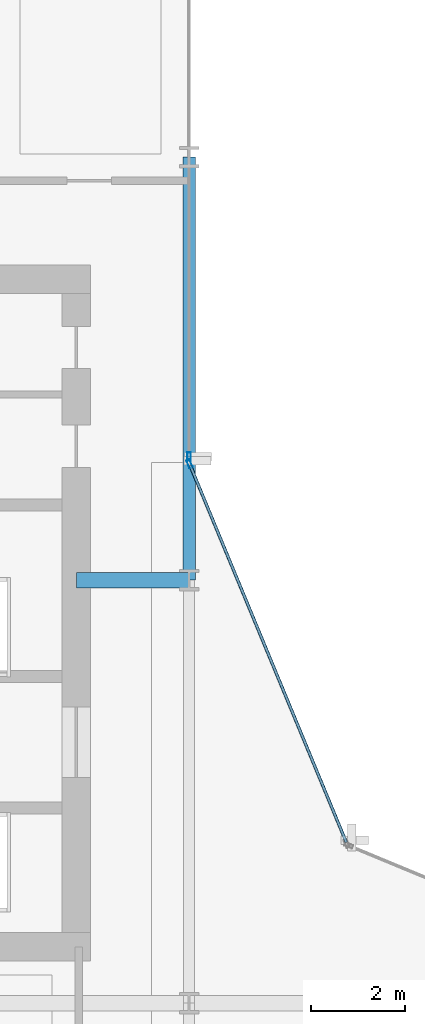
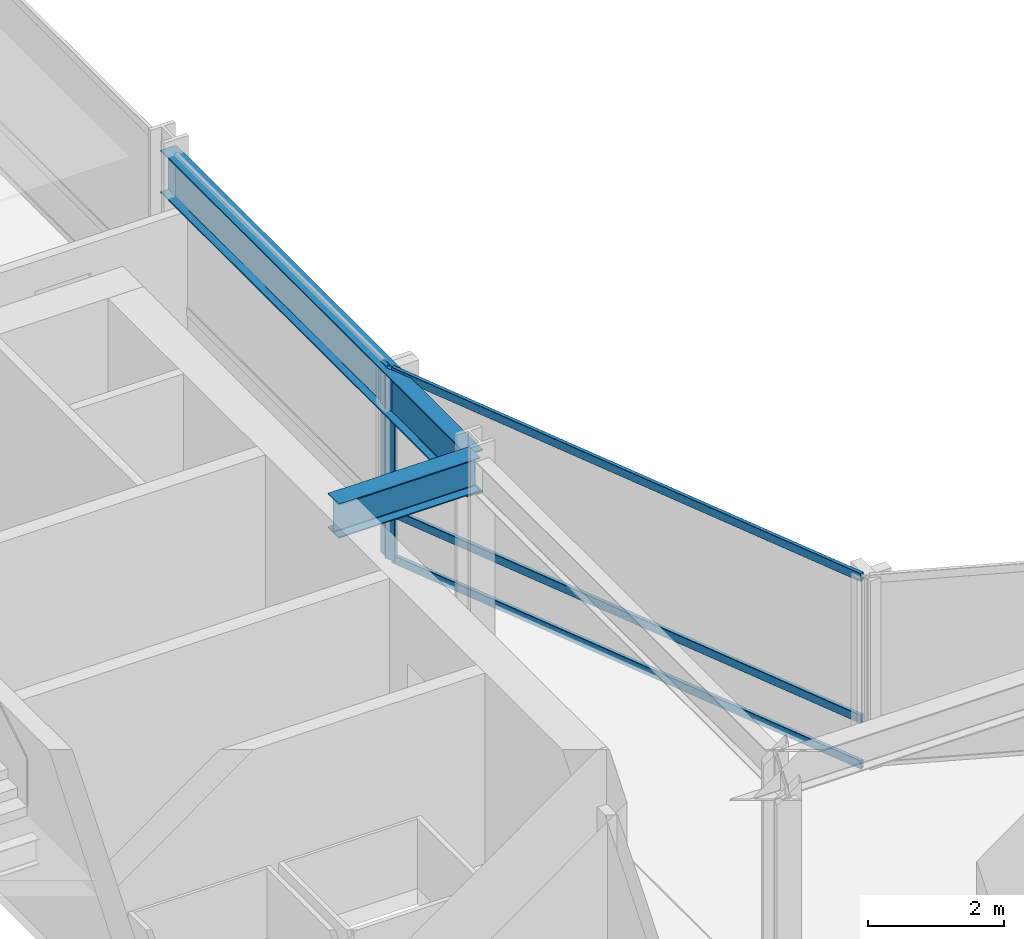
# One storey, part 17 of 29: 5 members, 2 beams, 2 elements without a shape of their own.
"""IFC4 building model written with IfcOpenShell, lengths in metres."""

import ifcopenshell
import ifcopenshell.guid

model = None  # the IFC model being written
_history = None  # IfcOwnerHistory: only IFC2X3 demands one
_inside = {}  # id of a spatial element -> (the spatial element, [elements in it])
_under = {}  # id of a project, library or spatial element -> (it, [spatial elements below it])
_declared = {}  # id of a project -> (the project, [libraries it declares])
_typed = {}  # id of a type object -> (the type object, [elements of that type])
_made_of = {}  # id of a material, layer set ... -> (it, [elements and type objects made of it])


def new_model(schema):
    """Start an empty IFC model of exactly this schema.

    Asked for "IFC4X3", IfcOpenShell would pick the latest addendum, in which some entities
    have other attributes; the version numbers below select the first issue.
    IFC2X3 requires an IfcOwnerHistory on every rooted entity: one is made here for all.
    """
    global model, _history
    if schema == "IFC4X3":
        model = ifcopenshell.file(schema_version=(4, 3, 0, 0))
    else:
        model = ifcopenshell.file(schema=schema)
    _inside.clear()
    _under.clear()
    _declared.clear()
    _typed.clear()
    _made_of.clear()
    _history = None
    if model.schema == "IFC2X3":
        org = make("IfcOrganization", Name="unknown")
        user = make(
            "IfcPersonAndOrganization",
            ThePerson=make("IfcPerson", FamilyName="unknown"),
            TheOrganization=org,
        )
        app = make(
            "IfcApplication",
            ApplicationDeveloper=org,
            Version="unknown",
            ApplicationFullName="unknown",
            ApplicationIdentifier="unknown",
        )
        _history = make(
            "IfcOwnerHistory",
            OwningUser=user,
            OwningApplication=app,
            ChangeAction="ADDED",
            CreationDate=0,
        )
    return model


def make(cls, **values):
    """One entity of the class cls with the attributes given. An attribute that is None is left unset."""
    return model.create_entity(
        cls, **{name: value for name, value in values.items() if value is not None}
    )


def rooted(cls, **values):
    """An entity with a GlobalId (a new one), such as an element, a storey or a relation."""
    return make(cls, GlobalId=ifcopenshell.guid.new(), OwnerHistory=_history, **values)


def si_unit(unit_type, name, prefix=None):
    """IfcSIUnit, for example si_unit("LENGTHUNIT", "METRE", prefix="MILLI")."""
    return make("IfcSIUnit", UnitType=unit_type, Prefix=prefix, Name=name)


def assignment(units):
    """IfcUnitAssignment: the units of a project."""
    return None if units is None else make("IfcUnitAssignment", Units=units)


def point(xyz):
    """IfcCartesianPoint."""
    return None if xyz is None else make("IfcCartesianPoint", Coordinates=xyz)


def direction(xyz):
    """IfcDirection."""
    return None if xyz is None else make("IfcDirection", DirectionRatios=xyz)


def frame(location, z_axis=None, x_axis=None):
    """IfcAxis2Placement3D, a coordinate frame: its origin and axes. An axis left out is left unset."""
    return make(
        "IfcAxis2Placement3D",
        Location=point(location),
        Axis=direction(z_axis),
        RefDirection=direction(x_axis),
    )


def frame_2d(location, x_axis=None):
    """IfcAxis2Placement2D, a coordinate frame in the plane: its origin and x axis."""
    return make(
        "IfcAxis2Placement2D", Location=point(location), RefDirection=direction(x_axis)
    )


def origin():
    """The frame at (0, 0, 0) with its axes left unset."""
    return frame((0.0, 0.0, 0.0))


def origin_2d():
    """The frame at (0, 0) in the plane with its x axis left unset."""
    return frame_2d((0.0, 0.0))


def place(relative_to, where):
    """IfcLocalPlacement: puts the frame where relative to a parent placement (None: the world)."""
    return make(
        "IfcLocalPlacement", PlacementRelTo=relative_to, RelativePlacement=where
    )


def context(
    kind, dimensions, precision=None, world=None, true_north=None, identifier=None
):
    """IfcGeometricRepresentationContext, for example the 3D "Model" context."""
    return make(
        "IfcGeometricRepresentationContext",
        ContextIdentifier=identifier,
        ContextType=kind,
        CoordinateSpaceDimension=dimensions,
        Precision=precision,
        WorldCoordinateSystem=world,
        TrueNorth=true_north,
    )


def subcontext(parent, identifier, kind, view, scale=None):
    """IfcGeometricRepresentationSubContext, for example "Body" below "Model"."""
    return make(
        "IfcGeometricRepresentationSubContext",
        ContextIdentifier=identifier,
        ContextType=kind,
        ParentContext=parent,
        TargetScale=scale,
        TargetView=view,
    )


def project(units=None, contexts=None):
    """IfcProject with its units and contexts."""
    return rooted(
        "IfcProject",
        Name="project",
        RepresentationContexts=contexts,
        UnitsInContext=assignment(units),
    )


def spatial(cls, under=None, at=None, **own):
    """A site, building, storey or space (cls), placed at a placement, below another one or the project."""
    s = rooted(cls, ObjectPlacement=at, **own)
    if under is not None:
        _under.setdefault(under.id(), (under, []))[1].append(s)
    return s


def profile(cls, at=None, kind="AREA", **sizes):
    """A parametric profile (cls). Its sizes go by their IFC names, for example OverallWidth=200.0."""
    return make(cls, ProfileType=kind, Position=at, **sizes)


def hollow_rectangle(**sizes):
    """IfcRectangleHollowProfileDef."""
    return profile("IfcRectangleHollowProfileDef", **sizes)


def i_section(**sizes):
    """IfcIShapeProfileDef."""
    return profile("IfcIShapeProfileDef", **sizes)


def extrude(swept, where, along, depth):
    """IfcExtrudedAreaSolid: the profile swept, set in the frame where, extruded along a direction by depth."""
    return make(
        "IfcExtrudedAreaSolid",
        SweptArea=swept,
        Position=where,
        ExtrudedDirection=direction(along),
        Depth=depth,
    )


def shape(context_of_items, identifier, shape_type, items):
    """IfcShapeRepresentation: the items that make up one representation, for example the "Body"."""
    return make(
        "IfcShapeRepresentation",
        ContextOfItems=context_of_items,
        RepresentationIdentifier=identifier,
        RepresentationType=shape_type,
        Items=items,
    )


def material(Name=None, Category=None):
    """IfcMaterial."""
    return make("IfcMaterial", Name=Name, Category=Category)


def layer(
    of_material, thickness, ventilated=None, Name=None, Category=None, Priority=None
):
    """IfcMaterialLayer: one layer of a wall or slab, of a material (None: an air gap)."""
    return make(
        "IfcMaterialLayer",
        Material=of_material,
        LayerThickness=thickness,
        IsVentilated=ventilated,
        Name=Name,
        Category=Category,
        Priority=Priority,
    )


def layer_set(layers, Name=None):
    """IfcMaterialLayerSet."""
    return make("IfcMaterialLayerSet", MaterialLayers=layers, LayerSetName=Name)


def material_profile(
    of_material, cross_section, Name=None, Category=None, Priority=None
):
    """IfcMaterialProfile: a cross section and its material."""
    return make(
        "IfcMaterialProfile",
        Name=Name,
        Material=of_material,
        Profile=cross_section,
        Priority=Priority,
        Category=Category,
    )


def profile_set(profiles, Name=None, composite=None):
    """IfcMaterialProfileSet."""
    return make(
        "IfcMaterialProfileSet",
        Name=Name,
        MaterialProfiles=profiles,
        CompositeProfile=composite,
    )


def made_of(thing, what):
    """Note that an element or type object is made of a material, layer set ...; save() writes the relation."""
    if what is not None:
        _made_of.setdefault(what.id(), (what, []))[1].append(thing)
    return thing


def type_object(cls, material=None, **own):
    """A type object (cls), such as IfcWallType, which elements share."""
    return made_of(rooted(cls, **own), material)


def element(
    cls,
    number,
    at=None,
    inside=None,
    cuts=None,
    type_object=None,
    material=None,
    context=None,
    identifier="Body",
    shape_type=None,
    held_by="IfcProductDefinitionShape",
    body=None,
    shapes=None,
    **own,
):
    """One element of the class cls, such as IfcWall. Its Tag is "e" and its number.

    at: its placement. inside: the storey or other place that contains it. cuts: it is an
    opening in that element (IfcRelVoidsElement). A single representation is given by context,
    identifier, shape_type and body (its items); several are given by shapes. held_by: the class
    of the entity that holds the representations. save() writes the other relations.
    """
    e = rooted(cls, Tag="e%d" % number, ObjectPlacement=at, **own)
    if body is not None:
        shapes = [shape(context, identifier, shape_type, body)]
    if shapes is not None:
        e.Representation = make(held_by, Representations=shapes)
    if inside is not None:
        _inside.setdefault(inside.id(), (inside, []))[1].append(e)
    if cuts is not None:
        rooted(
            "IfcRelVoidsElement", RelatingBuildingElement=cuts, RelatedOpeningElement=e
        )
    if type_object is not None:
        _typed.setdefault(type_object.id(), (type_object, []))[1].append(e)
    return made_of(e, material)


def aggregate(whole, parts):
    """IfcRelAggregates: a whole, such as a stair, and the parts it consists of."""
    return rooted("IfcRelAggregates", RelatingObject=whole, RelatedObjects=parts)


def save(model, path):
    """Write the relations noted so far, then the file.

    IfcRelAggregates (storeys below a building ...), IfcRelContainedInSpatialStructure (elements
    in a storey), IfcRelDefinesByType, IfcRelAssociatesMaterial and IfcRelDeclares: one each for
    every whole, place, type object, material and project.
    """
    for whole, parts in _under.values():
        aggregate(whole, parts)
    for where, things in _inside.values():
        rooted(
            "IfcRelContainedInSpatialStructure",
            RelatedElements=things,
            RelatingStructure=where,
        )
    for kind, things in _typed.values():
        rooted("IfcRelDefinesByType", RelatedObjects=things, RelatingType=kind)
    for what, things in _made_of.values():
        rooted("IfcRelAssociatesMaterial", RelatedObjects=things, RelatingMaterial=what)
    for by, libraries in _declared.values():
        rooted("IfcRelDeclares", RelatingContext=by, RelatedDefinitions=libraries)
    model.write(path)


model = new_model("IFC4")

# Units and contexts
model_context = context("Model", 3, precision=1e-05, world=origin(), true_north=direction((0.0, 1.0)))
body_context = subcontext(model_context, "Body", "Model", "MODEL_VIEW")
ifc_project = project(units=[si_unit("LENGTHUNIT", "METRE"), si_unit("AREAUNIT", "SQUARE_METRE"), si_unit("VOLUMEUNIT", "CUBIC_METRE"), si_unit("PLANEANGLEUNIT", "RADIAN"), si_unit("MASSUNIT", "GRAM", prefix="KILO")], contexts=[model_context])

# Site, building, storey
site_placement = place(None, origin())
site = spatial("IfcSite", under=ifc_project, at=site_placement, CompositionType="ELEMENT")
building_placement = place(site_placement, origin())
building = spatial("IfcBuilding", under=site, at=building_placement, Name="Solvaryn Broadcast Tower", CompositionType="ELEMENT")
storey_placement = place(building_placement, frame((0.0, 0.0, 124.800048828125)))
storey = spatial("IfcBuildingStorey", under=building, at=storey_placement, Name="L30", CompositionType="ELEMENT", Elevation=124.800048828125)

# Beams
ifc_material_1 = material(Name="Steel ASTM A992 Grade 50", Category="steel")
ifc_material_profile_1 = material_profile(ifc_material_1, i_section(OverallWidth=0.323974609375, OverallDepth=0.611083984375, WebThickness=0.0126953125, FlangeThickness=0.01904296875, FilletRadius=0.014892578125, at=origin_2d()))
ifc_profile_set_1 = profile_set([ifc_material_profile_1], Name="Steel ASTM A992 Grade 50")
beam_type_1 = type_object("IfcBeamType", Name="BM-B1-W24X104", PredefinedType="BEAM", material=ifc_profile_set_1)
beam_1_placement = place(storey_placement, frame((24.60009765625, 36.0, 3.114501953125), z_axis=(1.0, 0.0, 0.0), x_axis=(0.0, 1.0, 0.0)))
element("IfcBeam", 1, at=beam_1_placement, inside=storey, type_object=beam_type_1, Name="L30 Core Tie Beam CTW2", PredefinedType="BEAM", context=body_context, shape_type="SweptSolid", body=[
    extrude(i_section(OverallWidth=0.323974609375, OverallDepth=0.611083984375, WebThickness=0.0126953125, FlangeThickness=0.01904296875, FilletRadius=0.014892578125, at=origin_2d()), origin(), (0.0, 0.0, 1.0), 2.39990234375),
])
ifc_material_2 = material(Name="Steel ASTM A992 Grade 50", Category="steel")
ifc_material_profile_2 = material_profile(ifc_material_2, i_section(OverallWidth=0.26708984375, OverallDepth=0.76611328125, WebThickness=0.014892578125, FlangeThickness=0.023681640625, FilletRadius=0.01806640625, at=origin_2d()))
ifc_profile_set_2 = profile_set([ifc_material_profile_2], Name="Steel ASTM A992 Grade 50")
beam_type_2 = type_object("IfcBeamType", Name="BM-SP2-W30X124", PredefinedType="USERDEFINED", material=ifc_profile_set_2)
beam_2_placement = place(storey_placement, frame((27.0, 36.0, 3.036865234375), z_axis=(0.0, 1.0, 0.0), x_axis=(-1.0, 0.0, 0.0)))
element("IfcBeam", 2, at=beam_2_placement, inside=storey, type_object=beam_type_2, Name="L30 Spandrel Beam Y (36-45 @ X=27)", ObjectType="SPANDREL", PredefinedType="USERDEFINED", context=body_context, shape_type="SweptSolid", body=[
    extrude(i_section(OverallWidth=0.26708984375, OverallDepth=0.76611328125, WebThickness=0.014892578125, FlangeThickness=0.023681640625, FilletRadius=0.01806640625, at=origin_2d()), origin(), (0.0, 0.0, 1.0), 9.0),
])

# Curtain wall, member
ifc_material_3 = material(Name="Aluminium and Terracotta Unitised Curtain Wall", Category="masonry")
ifc_layer = layer(ifc_material_3, 0.199951171875)
ifc_layer_set = layer_set([ifc_layer], Name="CW-SYS2-LOWMID")
curtain_wall_type = type_object("IfcCurtainWallType", Name="CW-SYS2-LOWMID", PredefinedType="NOTDEFINED", material=ifc_layer_set)
curtain_wall_1_placement = place(storey_placement, origin())
curtain_wall_1 = element("IfcCurtainWall", 3, at=curtain_wall_1_placement, inside=storey, type_object=curtain_wall_type, Name="L30 Curtain Wall IV", PredefinedType="NOTDEFINED")
ifc_material_4 = material(Name="Anodised Aluminium 6063-T6", Category="aluminium")
ifc_material_profile_3 = material_profile(ifc_material_4, hollow_rectangle(XDim=0.074951171875, YDim=0.179931640625, WallThickness=0.00390625, InnerFilletRadius=0.00390625, OuterFilletRadius=0.008056640625, at=origin_2d()))
ifc_profile_set_3 = profile_set([ifc_material_profile_3], Name="Anodised Aluminium 6063-T6")
member_type_1 = type_object("IfcMemberType", Name="CW-MUL-180", PredefinedType="MULLION", material=ifc_profile_set_3)
member_1_placement = place(storey_placement, frame((27.0, 38.6298828125, 0.0), z_axis=(0.0, 0.0, 1.0), x_axis=(1.0, 0.0, 0.0)))
member_1 = element("IfcMember", 4, at=member_1_placement, type_object=member_type_1, Name="CWS2 mullion 2", PredefinedType="MULLION", context=body_context, shape_type="SweptSolid", body=[
    extrude(hollow_rectangle(XDim=0.074951171875, YDim=0.179931640625, WallThickness=0.00390625, InnerFilletRadius=0.00390625, OuterFilletRadius=0.008056640625, at=origin_2d()), origin(), (0.0, 0.0, 1.0), 3.419921875),
])
aggregate(curtain_wall_1, [member_1])

# Curtain wall, members
curtain_wall_2_placement = place(storey_placement, origin())
curtain_wall_2 = element("IfcCurtainWall", 5, at=curtain_wall_2_placement, inside=storey, type_object=curtain_wall_type, Name="L30 Curtain Wall CN2", PredefinedType="NOTDEFINED")
member_2_placement = place(storey_placement, frame((27.011474609375, 38.47216796875, 0.0), z_axis=(0.0, 0.0, 1.0), x_axis=(-0.923894983957, -0.382646127145, 0.0)))
member_2 = element("IfcMember", 6, at=member_2_placement, type_object=member_type_1, Name="CWS2 mullion 2", PredefinedType="MULLION", context=body_context, shape_type="SweptSolid", body=[
    extrude(hollow_rectangle(XDim=0.074951171875, YDim=0.179931640625, WallThickness=0.00390625, InnerFilletRadius=0.00390625, OuterFilletRadius=0.008056640625, at=origin_2d()), origin(), (0.0, 0.0, 1.0), 3.419921875),
])
ifc_material_5 = material(Name="Anodised Aluminium 6063-T6", Category="aluminium")
ifc_material_profile_4 = material_profile(ifc_material_5, hollow_rectangle(XDim=0.06494140625, YDim=0.14990234375, WallThickness=0.00390625, InnerFilletRadius=0.00390625, OuterFilletRadius=0.008056640625, at=origin_2d()))
ifc_profile_set_4 = profile_set([ifc_material_profile_4], Name="Anodised Aluminium 6063-T6")
member_type_2 = type_object("IfcMemberType", Name="CW-TRN-150", PredefinedType="USERDEFINED", material=ifc_profile_set_4)
member_3_placement = place(storey_placement, frame((30.344970703125, 30.42333984375, 0.030029296875), z_axis=(-0.382635748975, 0.923899282177, 0.0), x_axis=(-0.923899282177, -0.382635748975, 0.0)))
member_3 = element("IfcMember", 7, at=member_3_placement, type_object=member_type_2, Name="CWS2 transom 1.1", ObjectType="TRANSOM", PredefinedType="USERDEFINED", context=body_context, shape_type="SweptSolid", body=[
    extrude(hollow_rectangle(XDim=0.06494140625, YDim=0.14990234375, WallThickness=0.00390625, InnerFilletRadius=0.00390625, OuterFilletRadius=0.008056640625, at=origin_2d()), origin(), (0.0, 0.0, 1.0), 8.681884765625),
])
member_4_placement = place(storey_placement, frame((30.344970703125, 30.42333984375, 0.849853515625), z_axis=(-0.382635748975, 0.923899282177, 0.0), x_axis=(-0.923899282177, -0.382635748975, 0.0)))
member_4 = element("IfcMember", 8, at=member_4_placement, type_object=member_type_2, Name="CWS2 transom 1.2", ObjectType="TRANSOM", PredefinedType="USERDEFINED", context=body_context, shape_type="SweptSolid", body=[
    extrude(hollow_rectangle(XDim=0.06494140625, YDim=0.14990234375, WallThickness=0.00390625, InnerFilletRadius=0.00390625, OuterFilletRadius=0.008056640625, at=origin_2d()), origin(), (0.0, 0.0, 1.0), 8.681884765625),
])
member_5_placement = place(storey_placement, frame((30.344970703125, 30.42333984375, 3.389892578125), z_axis=(-0.382635748975, 0.923899282177, 0.0), x_axis=(-0.923899282177, -0.382635748975, 0.0)))
member_5 = element("IfcMember", 9, at=member_5_placement, type_object=member_type_2, Name="CWS2 transom 1.3", ObjectType="TRANSOM", PredefinedType="USERDEFINED", context=body_context, shape_type="SweptSolid", body=[
    extrude(hollow_rectangle(XDim=0.06494140625, YDim=0.14990234375, WallThickness=0.00390625, InnerFilletRadius=0.00390625, OuterFilletRadius=0.008056640625, at=origin_2d()), origin(), (0.0, 0.0, 1.0), 8.681884765625),
])
aggregate(curtain_wall_2, [member_2, member_3, member_4, member_5])

save(model, "model.ifc")
